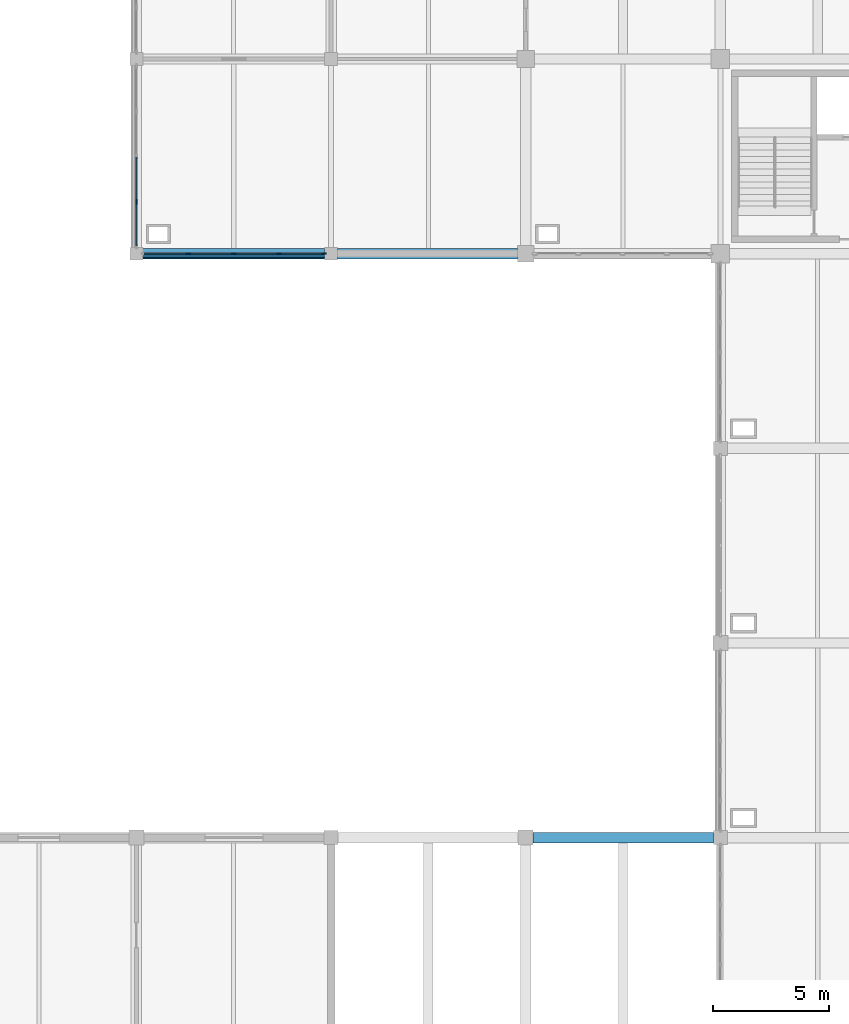
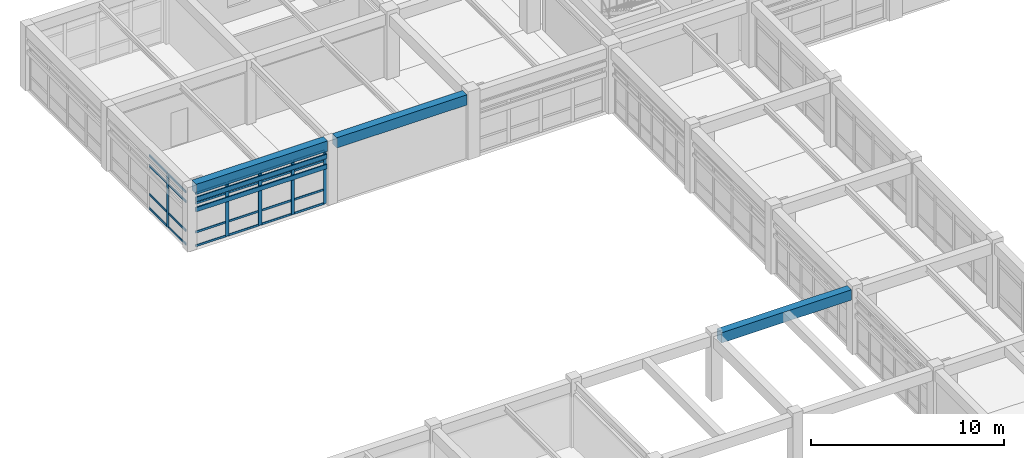
# One storey, part 25 of 74: 31 members, 3 beams, 2 elements without a shape of their own.
"""IFC4 building model written with IfcOpenShell, lengths in metres."""

from ifc_helpers import new_model, si_unit, direction, frame, origin, origin_2d, place, context, subcontext, project, spatial, rectangle, extrude, material, layer, layer_set, material_profile, profile_set, type_object, element, aggregate, save


model = new_model("IFC4")

# Units and contexts
model_context = context("Model", 3, precision=1e-05, world=origin(), true_north=direction((0.0, 1.0)))
body_context = subcontext(model_context, "Body", "Model", "MODEL_VIEW")
ifc_project = project(units=[si_unit("LENGTHUNIT", "METRE"), si_unit("AREAUNIT", "SQUARE_METRE"), si_unit("VOLUMEUNIT", "CUBIC_METRE"), si_unit("PLANEANGLEUNIT", "RADIAN"), si_unit("MASSUNIT", "GRAM", prefix="KILO")], contexts=[model_context])

# Site, building, storey
site_placement = place(None, origin())
site = spatial("IfcSite", under=ifc_project, at=site_placement, CompositionType="ELEMENT")
building_placement = place(site_placement, origin())
building = spatial("IfcBuilding", under=site, at=building_placement, Name="Porcellanite Civic Hall", CompositionType="ELEMENT")
storey_placement = place(building_placement, frame((0.0, 0.0, 14.760009765625)))
storey = spatial("IfcBuildingStorey", under=building, at=storey_placement, Name="L03", CompositionType="ELEMENT", Elevation=14.760009765625)

# Beams
ifc_material_1 = material(Name="Concrete N50 (50 MPa)", Category="concrete")
ifc_material_profile_1 = material_profile(ifc_material_1, rectangle(XDim=0.449951171875, YDim=0.64990234375, at=origin_2d()), Name="RC-450x650")
ifc_profile_set_1 = profile_set([ifc_material_profile_1], Name="Concrete N50 (50 MPa)")
beam_type = type_object("IfcBeamType", Name="BM-RC650", PredefinedType="SPANDREL", material=ifc_profile_set_1)
beam_1_placement = place(storey_placement, frame((25.474609375, 100.800048828125, 3.744873046875), z_axis=(1.0, 0.0, 0.0), x_axis=(0.0, 1.0, 0.0)))
element("IfcBeam", 1, at=beam_1_placement, inside=storey, type_object=beam_type, Name="Beam X L03 4-13", PredefinedType="SPANDREL", context=body_context, shape_type="SweptSolid", body=[
    extrude(rectangle(XDim=0.449951171875, YDim=0.64990234375, at=origin_2d()), origin(), (0.0, 0.0, 1.0), 7.850830078125),
])
beam_2_placement = place(storey_placement, frame((33.87451171875, 100.800048828125, 3.744873046875), z_axis=(1.0, 0.0, 0.0), x_axis=(0.0, 1.0, 0.0)))
element("IfcBeam", 2, at=beam_2_placement, inside=storey, type_object=beam_type, Name="Beam X L03 5-13", PredefinedType="SPANDREL", context=body_context, shape_type="SweptSolid", body=[
    extrude(rectangle(XDim=0.449951171875, YDim=0.64990234375, at=origin_2d()), origin(), (0.0, 0.0, 1.0), 7.77587890625),
])
beam_3_placement = place(storey_placement, frame((42.324462890625, 75.60009765625, 3.744873046875), z_axis=(1.0, 0.0, 0.0), x_axis=(0.0, 1.0, 0.0)))
element("IfcBeam", 3, at=beam_3_placement, inside=storey, type_object=beam_type, Name="Beam X L03 6-10", PredefinedType="SPANDREL", context=body_context, shape_type="SweptSolid", body=[
    extrude(rectangle(XDim=0.449951171875, YDim=0.64990234375, at=origin_2d()), origin(), (0.0, 0.0, 1.0), 7.776123046875),
])

# Curtain wall, members
ifc_material_2 = material(Name="Anodised aluminium and solar laminated glass", Category="aluminium")
ifc_layer = layer(ifc_material_2, 0.179931640625)
ifc_layer_set = layer_set([ifc_layer], Name="Anodised aluminium and solar laminated glass")
curtain_wall_type = type_object("IfcCurtainWallType", Name="CW-SYS05", PredefinedType="NOTDEFINED", material=ifc_layer_set)
curtain_wall_1_placement = place(storey_placement, origin())
curtain_wall_1 = element("IfcCurtainWall", 4, at=curtain_wall_1_placement, inside=storey, type_object=curtain_wall_type, Name="Curtain wall CW-187", PredefinedType="NOTDEFINED")
ifc_material_3 = material(Name="Anodised aluminium 6063-T6", Category="aluminium")
ifc_material_profile_2 = material_profile(ifc_material_3, rectangle(XDim=0.070068359375, YDim=0.199951171875, at=origin_2d()), Name="AL-70x200")
ifc_profile_set_2 = profile_set([ifc_material_profile_2], Name="Anodised aluminium 6063-T6")
member_type_1 = type_object("IfcMemberType", Name="CWM-05", PredefinedType="MULLION", material=ifc_profile_set_2)
member_1_placement = place(storey_placement, frame((33.2890625, 100.800048828125, 0.0), z_axis=(0.0, 0.0, 1.0), x_axis=(0.0, -1.0, 0.0)))
member_1 = element("IfcMember", 5, at=member_1_placement, type_object=member_type_1, Name="CW-187 mullion 1", PredefinedType="MULLION", context=body_context, shape_type="SweptSolid", body=[
    extrude(rectangle(XDim=0.070068359375, YDim=0.199951171875, at=origin_2d()), origin(), (0.0, 0.0, 1.0), 3.369873046875),
])
member_2_placement = place(storey_placement, frame((31.362060546875, 100.800048828125, 0.0), z_axis=(0.0, 0.0, 1.0), x_axis=(0.0, -1.0, 0.0)))
member_2 = element("IfcMember", 6, at=member_2_placement, type_object=member_type_1, Name="CW-187 mullion 2", PredefinedType="MULLION", context=body_context, shape_type="SweptSolid", body=[
    extrude(rectangle(XDim=0.070068359375, YDim=0.199951171875, at=origin_2d()), origin(), (0.0, 0.0, 1.0), 3.369873046875),
])
member_3_placement = place(storey_placement, frame((29.39990234375, 100.800048828125, 0.0), z_axis=(0.0, 0.0, 1.0), x_axis=(0.0, -1.0, 0.0)))
member_3 = element("IfcMember", 7, at=member_3_placement, type_object=member_type_1, Name="CW-187 mullion 3", PredefinedType="MULLION", context=body_context, shape_type="SweptSolid", body=[
    extrude(rectangle(XDim=0.070068359375, YDim=0.199951171875, at=origin_2d()), origin(), (0.0, 0.0, 1.0), 3.369873046875),
])
member_4_placement = place(storey_placement, frame((27.43798828125, 100.800048828125, 0.0), z_axis=(0.0, 0.0, 1.0), x_axis=(0.0, -1.0, 0.0)))
member_4 = element("IfcMember", 8, at=member_4_placement, type_object=member_type_1, Name="CW-187 mullion 4", PredefinedType="MULLION", context=body_context, shape_type="SweptSolid", body=[
    extrude(rectangle(XDim=0.070068359375, YDim=0.199951171875, at=origin_2d()), origin(), (0.0, 0.0, 1.0), 3.369873046875),
])

# Curtain wall, member
curtain_wall_2_placement = place(storey_placement, origin())
curtain_wall_2 = element("IfcCurtainWall", 9, at=curtain_wall_2_placement, inside=storey, type_object=curtain_wall_type, Name="Curtain wall CW-188", PredefinedType="NOTDEFINED")
member_5_placement = place(storey_placement, frame((25.199951171875, 103.0380859375, 0.0), z_axis=(0.0, 0.0, 1.0), x_axis=(-1.0, 0.0, 0.0)))
member_5 = element("IfcMember", 10, at=member_5_placement, type_object=member_type_1, Name="CW-188 mullion 2", PredefinedType="MULLION", context=body_context, shape_type="SweptSolid", body=[
    extrude(rectangle(XDim=0.070068359375, YDim=0.199951171875, at=origin_2d()), origin(), (0.0, 0.0, 1.0), 3.369873046875),
])

# Member
ifc_material_4 = material(Name="Anodised aluminium 6063-T6", Category="aluminium")
ifc_material_profile_3 = material_profile(ifc_material_4, rectangle(XDim=0.06005859375, YDim=0.1298828125, at=origin_2d()), Name="AL-60x130")
ifc_profile_set_3 = profile_set([ifc_material_profile_3], Name="Anodised aluminium 6063-T6")
member_type_2 = type_object("IfcMemberType", Name="CWT-03", PredefinedType="USERDEFINED", material=ifc_profile_set_3)
member_6_placement = place(storey_placement, frame((33.25390625, 100.800048828125, 0.030029296875), z_axis=(-1.0, 0.0, 0.0), x_axis=(0.0, -1.0, 0.0)))
member_6 = element("IfcMember", 11, at=member_6_placement, type_object=member_type_2, Name="CW-187 transom 1.1", ObjectType="TRANSOM", PredefinedType="USERDEFINED", context=body_context, shape_type="SweptSolid", body=[
    extrude(rectangle(XDim=0.06005859375, YDim=0.1298828125, at=origin_2d()), origin(), (0.0, 0.0, 1.0), 1.85693359375),
])

member_7_placement = place(storey_placement, frame((33.25390625, 100.800048828125, 0.89990234375), z_axis=(-1.0, 0.0, 0.0), x_axis=(0.0, -1.0, 0.0)))
member_7 = element("IfcMember", 12, at=member_7_placement, type_object=member_type_2, Name="CW-187 transom 1.2", ObjectType="TRANSOM", PredefinedType="USERDEFINED", context=body_context, shape_type="SweptSolid", body=[
    extrude(rectangle(XDim=0.06005859375, YDim=0.1298828125, at=origin_2d()), origin(), (0.0, 0.0, 1.0), 1.85693359375),
])

member_8_placement = place(storey_placement, frame((33.25390625, 100.800048828125, 2.719970703125), z_axis=(-1.0, 0.0, 0.0), x_axis=(0.0, -1.0, 0.0)))
member_8 = element("IfcMember", 13, at=member_8_placement, type_object=member_type_2, Name="CW-187 transom 1.3", ObjectType="TRANSOM", PredefinedType="USERDEFINED", context=body_context, shape_type="SweptSolid", body=[
    extrude(rectangle(XDim=0.06005859375, YDim=0.1298828125, at=origin_2d()), origin(), (0.0, 0.0, 1.0), 1.85693359375),
])

member_9_placement = place(storey_placement, frame((33.25390625, 100.800048828125, 3.340087890625), z_axis=(-1.0, 0.0, 0.0), x_axis=(0.0, -1.0, 0.0)))
member_9 = element("IfcMember", 14, at=member_9_placement, type_object=member_type_2, Name="CW-187 transom 1.4", ObjectType="TRANSOM", PredefinedType="USERDEFINED", context=body_context, shape_type="SweptSolid", body=[
    extrude(rectangle(XDim=0.06005859375, YDim=0.1298828125, at=origin_2d()), origin(), (0.0, 0.0, 1.0), 1.85693359375),
])

member_10_placement = place(storey_placement, frame((31.326904296875, 100.800048828125, 0.030029296875), z_axis=(-1.0, 0.0, 0.0), x_axis=(0.0, -1.0, 0.0)))
member_10 = element("IfcMember", 15, at=member_10_placement, type_object=member_type_2, Name="CW-187 transom 2.1", ObjectType="TRANSOM", PredefinedType="USERDEFINED", context=body_context, shape_type="SweptSolid", body=[
    extrude(rectangle(XDim=0.06005859375, YDim=0.1298828125, at=origin_2d()), origin(), (0.0, 0.0, 1.0), 1.891845703125),
])

member_11_placement = place(storey_placement, frame((31.326904296875, 100.800048828125, 0.89990234375), z_axis=(-1.0, 0.0, 0.0), x_axis=(0.0, -1.0, 0.0)))
member_11 = element("IfcMember", 16, at=member_11_placement, type_object=member_type_2, Name="CW-187 transom 2.2", ObjectType="TRANSOM", PredefinedType="USERDEFINED", context=body_context, shape_type="SweptSolid", body=[
    extrude(rectangle(XDim=0.06005859375, YDim=0.1298828125, at=origin_2d()), origin(), (0.0, 0.0, 1.0), 1.891845703125),
])

member_12_placement = place(storey_placement, frame((31.326904296875, 100.800048828125, 2.719970703125), z_axis=(-1.0, 0.0, 0.0), x_axis=(0.0, -1.0, 0.0)))
member_12 = element("IfcMember", 17, at=member_12_placement, type_object=member_type_2, Name="CW-187 transom 2.3", ObjectType="TRANSOM", PredefinedType="USERDEFINED", context=body_context, shape_type="SweptSolid", body=[
    extrude(rectangle(XDim=0.06005859375, YDim=0.1298828125, at=origin_2d()), origin(), (0.0, 0.0, 1.0), 1.891845703125),
])

member_13_placement = place(storey_placement, frame((31.326904296875, 100.800048828125, 3.340087890625), z_axis=(-1.0, 0.0, 0.0), x_axis=(0.0, -1.0, 0.0)))
member_13 = element("IfcMember", 18, at=member_13_placement, type_object=member_type_2, Name="CW-187 transom 2.4", ObjectType="TRANSOM", PredefinedType="USERDEFINED", context=body_context, shape_type="SweptSolid", body=[
    extrude(rectangle(XDim=0.06005859375, YDim=0.1298828125, at=origin_2d()), origin(), (0.0, 0.0, 1.0), 1.891845703125),
])

member_14_placement = place(storey_placement, frame((29.364990234375, 100.800048828125, 0.030029296875), z_axis=(-1.0, 0.0, 0.0), x_axis=(0.0, -1.0, 0.0)))
member_14 = element("IfcMember", 19, at=member_14_placement, type_object=member_type_2, Name="CW-187 transom 3.1", ObjectType="TRANSOM", PredefinedType="USERDEFINED", context=body_context, shape_type="SweptSolid", body=[
    extrude(rectangle(XDim=0.06005859375, YDim=0.1298828125, at=origin_2d()), origin(), (0.0, 0.0, 1.0), 1.89208984375),
])

member_15_placement = place(storey_placement, frame((29.364990234375, 100.800048828125, 0.89990234375), z_axis=(-1.0, 0.0, 0.0), x_axis=(0.0, -1.0, 0.0)))
member_15 = element("IfcMember", 20, at=member_15_placement, type_object=member_type_2, Name="CW-187 transom 3.2", ObjectType="TRANSOM", PredefinedType="USERDEFINED", context=body_context, shape_type="SweptSolid", body=[
    extrude(rectangle(XDim=0.06005859375, YDim=0.1298828125, at=origin_2d()), origin(), (0.0, 0.0, 1.0), 1.89208984375),
])

member_16_placement = place(storey_placement, frame((29.364990234375, 100.800048828125, 2.719970703125), z_axis=(-1.0, 0.0, 0.0), x_axis=(0.0, -1.0, 0.0)))
member_16 = element("IfcMember", 21, at=member_16_placement, type_object=member_type_2, Name="CW-187 transom 3.3", ObjectType="TRANSOM", PredefinedType="USERDEFINED", context=body_context, shape_type="SweptSolid", body=[
    extrude(rectangle(XDim=0.06005859375, YDim=0.1298828125, at=origin_2d()), origin(), (0.0, 0.0, 1.0), 1.89208984375),
])

member_17_placement = place(storey_placement, frame((29.364990234375, 100.800048828125, 3.340087890625), z_axis=(-1.0, 0.0, 0.0), x_axis=(0.0, -1.0, 0.0)))
member_17 = element("IfcMember", 22, at=member_17_placement, type_object=member_type_2, Name="CW-187 transom 3.4", ObjectType="TRANSOM", PredefinedType="USERDEFINED", context=body_context, shape_type="SweptSolid", body=[
    extrude(rectangle(XDim=0.06005859375, YDim=0.1298828125, at=origin_2d()), origin(), (0.0, 0.0, 1.0), 1.89208984375),
])

member_18_placement = place(storey_placement, frame((27.403076171875, 100.800048828125, 0.030029296875), z_axis=(-1.0, 0.0, 0.0), x_axis=(0.0, -1.0, 0.0)))
member_18 = element("IfcMember", 23, at=member_18_placement, type_object=member_type_2, Name="CW-187 transom 4.1", ObjectType="TRANSOM", PredefinedType="USERDEFINED", context=body_context, shape_type="SweptSolid", body=[
    extrude(rectangle(XDim=0.06005859375, YDim=0.1298828125, at=origin_2d()), origin(), (0.0, 0.0, 1.0), 1.857177734375),
])

member_19_placement = place(storey_placement, frame((27.403076171875, 100.800048828125, 0.89990234375), z_axis=(-1.0, 0.0, 0.0), x_axis=(0.0, -1.0, 0.0)))
member_19 = element("IfcMember", 24, at=member_19_placement, type_object=member_type_2, Name="CW-187 transom 4.2", ObjectType="TRANSOM", PredefinedType="USERDEFINED", context=body_context, shape_type="SweptSolid", body=[
    extrude(rectangle(XDim=0.06005859375, YDim=0.1298828125, at=origin_2d()), origin(), (0.0, 0.0, 1.0), 1.857177734375),
])

member_20_placement = place(storey_placement, frame((27.403076171875, 100.800048828125, 2.719970703125), z_axis=(-1.0, 0.0, 0.0), x_axis=(0.0, -1.0, 0.0)))
member_20 = element("IfcMember", 25, at=member_20_placement, type_object=member_type_2, Name="CW-187 transom 4.3", ObjectType="TRANSOM", PredefinedType="USERDEFINED", context=body_context, shape_type="SweptSolid", body=[
    extrude(rectangle(XDim=0.06005859375, YDim=0.1298828125, at=origin_2d()), origin(), (0.0, 0.0, 1.0), 1.857177734375),
])

member_21_placement = place(storey_placement, frame((27.403076171875, 100.800048828125, 3.340087890625), z_axis=(-1.0, 0.0, 0.0), x_axis=(0.0, -1.0, 0.0)))
member_21 = element("IfcMember", 26, at=member_21_placement, type_object=member_type_2, Name="CW-187 transom 4.4", ObjectType="TRANSOM", PredefinedType="USERDEFINED", context=body_context, shape_type="SweptSolid", body=[
    extrude(rectangle(XDim=0.06005859375, YDim=0.1298828125, at=origin_2d()), origin(), (0.0, 0.0, 1.0), 1.857177734375),
])

aggregate(curtain_wall_1, [member_1, member_2, member_3, member_4, member_6, member_7, member_8, member_9, member_10, member_11, member_12, member_13, member_14, member_15, member_16, member_17, member_18, member_19, member_20, member_21])

member_22_placement = place(storey_placement, frame((25.199951171875, 101.14599609375, 0.030029296875), z_axis=(0.0, 1.0, 0.0), x_axis=(-1.0, 0.0, 0.0)))
member_22 = element("IfcMember", 27, at=member_22_placement, type_object=member_type_2, Name="CW-188 transom 1.1", ObjectType="TRANSOM", PredefinedType="USERDEFINED", context=body_context, shape_type="SweptSolid", body=[
    extrude(rectangle(XDim=0.06005859375, YDim=0.1298828125, at=origin_2d()), origin(), (0.0, 0.0, 1.0), 1.85693359375),
])

member_23_placement = place(storey_placement, frame((25.199951171875, 101.14599609375, 0.89990234375), z_axis=(0.0, 1.0, 0.0), x_axis=(-1.0, 0.0, 0.0)))
member_23 = element("IfcMember", 28, at=member_23_placement, type_object=member_type_2, Name="CW-188 transom 1.2", ObjectType="TRANSOM", PredefinedType="USERDEFINED", context=body_context, shape_type="SweptSolid", body=[
    extrude(rectangle(XDim=0.06005859375, YDim=0.1298828125, at=origin_2d()), origin(), (0.0, 0.0, 1.0), 1.85693359375),
])

member_24_placement = place(storey_placement, frame((25.199951171875, 101.14599609375, 2.719970703125), z_axis=(0.0, 1.0, 0.0), x_axis=(-1.0, 0.0, 0.0)))
member_24 = element("IfcMember", 29, at=member_24_placement, type_object=member_type_2, Name="CW-188 transom 1.3", ObjectType="TRANSOM", PredefinedType="USERDEFINED", context=body_context, shape_type="SweptSolid", body=[
    extrude(rectangle(XDim=0.06005859375, YDim=0.1298828125, at=origin_2d()), origin(), (0.0, 0.0, 1.0), 1.85693359375),
])

member_25_placement = place(storey_placement, frame((25.199951171875, 101.14599609375, 3.340087890625), z_axis=(0.0, 1.0, 0.0), x_axis=(-1.0, 0.0, 0.0)))
member_25 = element("IfcMember", 30, at=member_25_placement, type_object=member_type_2, Name="CW-188 transom 1.4", ObjectType="TRANSOM", PredefinedType="USERDEFINED", context=body_context, shape_type="SweptSolid", body=[
    extrude(rectangle(XDim=0.06005859375, YDim=0.1298828125, at=origin_2d()), origin(), (0.0, 0.0, 1.0), 1.85693359375),
])

member_26_placement = place(storey_placement, frame((25.199951171875, 103.072998046875, 0.030029296875), z_axis=(0.0, 1.0, 0.0), x_axis=(-1.0, 0.0, 0.0)))
member_26 = element("IfcMember", 31, at=member_26_placement, type_object=member_type_2, Name="CW-188 transom 2.1", ObjectType="TRANSOM", PredefinedType="USERDEFINED", context=body_context, shape_type="SweptSolid", body=[
    extrude(rectangle(XDim=0.06005859375, YDim=0.1298828125, at=origin_2d()), origin(), (0.0, 0.0, 1.0), 1.89208984375),
])

member_27_placement = place(storey_placement, frame((25.199951171875, 103.072998046875, 0.89990234375), z_axis=(0.0, 1.0, 0.0), x_axis=(-1.0, 0.0, 0.0)))
member_27 = element("IfcMember", 32, at=member_27_placement, type_object=member_type_2, Name="CW-188 transom 2.2", ObjectType="TRANSOM", PredefinedType="USERDEFINED", context=body_context, shape_type="SweptSolid", body=[
    extrude(rectangle(XDim=0.06005859375, YDim=0.1298828125, at=origin_2d()), origin(), (0.0, 0.0, 1.0), 1.89208984375),
])

member_28_placement = place(storey_placement, frame((25.199951171875, 103.072998046875, 2.719970703125), z_axis=(0.0, 1.0, 0.0), x_axis=(-1.0, 0.0, 0.0)))
member_28 = element("IfcMember", 33, at=member_28_placement, type_object=member_type_2, Name="CW-188 transom 2.3", ObjectType="TRANSOM", PredefinedType="USERDEFINED", context=body_context, shape_type="SweptSolid", body=[
    extrude(rectangle(XDim=0.06005859375, YDim=0.1298828125, at=origin_2d()), origin(), (0.0, 0.0, 1.0), 1.89208984375),
])

member_29_placement = place(storey_placement, frame((25.199951171875, 103.072998046875, 3.340087890625), z_axis=(0.0, 1.0, 0.0), x_axis=(-1.0, 0.0, 0.0)))
member_29 = element("IfcMember", 34, at=member_29_placement, type_object=member_type_2, Name="CW-188 transom 2.4", ObjectType="TRANSOM", PredefinedType="USERDEFINED", context=body_context, shape_type="SweptSolid", body=[
    extrude(rectangle(XDim=0.06005859375, YDim=0.1298828125, at=origin_2d()), origin(), (0.0, 0.0, 1.0), 1.89208984375),
])

aggregate(curtain_wall_2, [member_5, member_22, member_23, member_24, member_25, member_26, member_27, member_28, member_29])

# Members
ifc_material_5 = material(Name="Fluoropolymer bauxite-red aluminium 6063-T6", Category="aluminium")
ifc_material_profile_4 = material_profile(ifc_material_5, rectangle(XDim=0.070068359375, YDim=0.280029296875, at=origin_2d()), Name="AL-70x280")
ifc_profile_set_4 = profile_set([ifc_material_profile_4], Name="Fluoropolymer bauxite-red aluminium 6063-T6")
member_type_3 = type_object("IfcMemberType", Name="LV-BLD05", PredefinedType="USERDEFINED", material=ifc_profile_set_4)
for number, where, z_axis, x_axis, name in (
    (35, (33.325439453125, 100.6630859375, 3.070068359375), (-1.0, 0.0, 0.0), (0.0, -1.0, 0.0), "Cyclone sunshade louvre L03 S 3-12 1"),
    (36, (33.325439453125, 100.6630859375, 2.419921875), (-1.0, 0.0, 0.0), (0.0, -1.0, 0.0), "Cyclone sunshade louvre L03 S 3-12 2"),
):
    element("IfcMember", number, at=place(storey_placement, frame(where, z_axis=z_axis, x_axis=x_axis)), inside=storey, type_object=member_type_3, Name=name, ObjectType="LOUVRE BLADE", PredefinedType="USERDEFINED", context=body_context, shape_type="SweptSolid", body=[
        extrude(rectangle(XDim=0.070068359375, YDim=0.280029296875, at=origin_2d()), origin(), (0.0, 0.0, 1.0), 7.850830078125),
    ])

save(model, "model.ifc")
